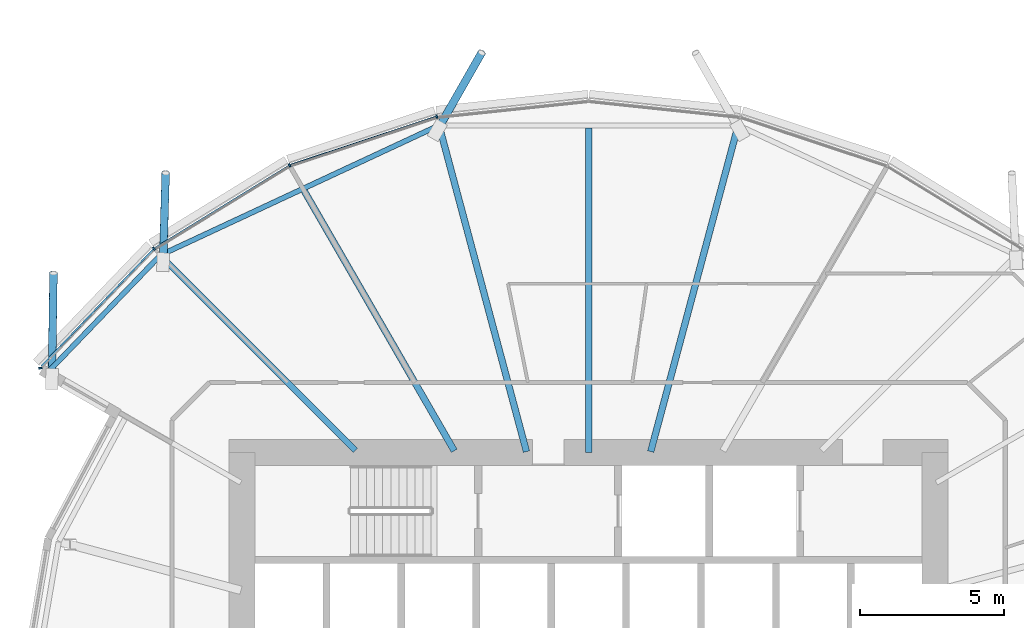
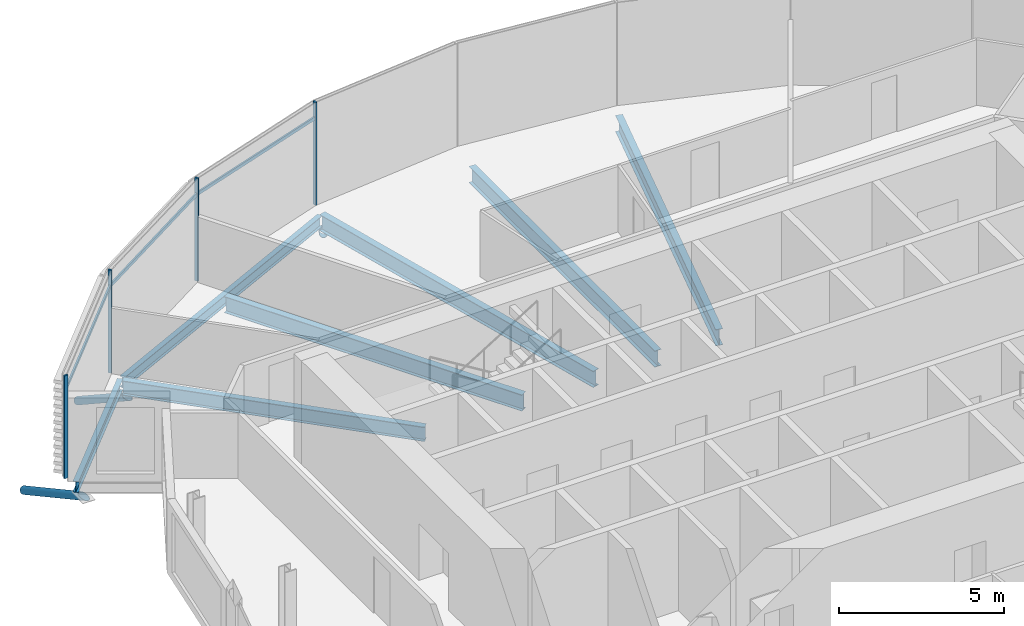
# One storey, part 10 of 38: 10 members, 7 beams, 1 element without a shape of its own.
"""IFC4 building model written with IfcOpenShell, lengths in metres."""

from ifc_helpers import new_model, si_unit, direction, frame, origin, origin_2d, place, context, subcontext, project, spatial, rectangle, hollow_circle, i_section, extrude, clip, halfspace, material, material_profile, profile_set, type_object, element, aggregate, save


model = new_model("IFC4")

# Units and contexts
model_context = context("Model", 3, precision=1e-05, world=origin(), true_north=direction((0.0, 1.0)))
body_context = subcontext(model_context, "Body", "Model", "MODEL_VIEW")
ifc_project = project(units=[si_unit("LENGTHUNIT", "METRE"), si_unit("AREAUNIT", "SQUARE_METRE"), si_unit("VOLUMEUNIT", "CUBIC_METRE"), si_unit("PLANEANGLEUNIT", "RADIAN"), si_unit("MASSUNIT", "GRAM", prefix="KILO")], contexts=[model_context])

# Site, building, storey
site_placement = place(None, origin())
site = spatial("IfcSite", under=ifc_project, at=site_placement, CompositionType="ELEMENT")
building_placement = place(site_placement, origin())
building = spatial("IfcBuilding", under=site, at=building_placement, Name="Rimbun Link Towers", CompositionType="ELEMENT")
storey_placement = place(building_placement, frame((0.0, 0.0, 49.0)))
storey = spatial("IfcBuildingStorey", under=building, at=storey_placement, Name="L11", CompositionType="ELEMENT", Elevation=49.0)

# Curtain wall, members
ifc_material_1 = material(Name="Aluminium 6063-T6 and low-iron glass", Category="aluminium")
curtain_wall_type = type_object("IfcCurtainWallType", Name="CW1 unitised vision wall", PredefinedType="NOTDEFINED", material=ifc_material_1)
curtain_wall_placement = place(storey_placement, origin())
curtain_wall = element("IfcCurtainWall", 1, at=curtain_wall_placement, inside=storey, type_object=curtain_wall_type, Name="CW1 L11 T1", PredefinedType="NOTDEFINED")
ifc_material_2 = material(Name="Aluminium 6063-T6", Category="aluminium")
ifc_material_profile_1 = material_profile(ifc_material_2, rectangle(XDim=0.1201171875, YDim=0.06005859375, at=origin_2d()), Name="MULLION 60X120")
ifc_profile_set_1 = profile_set([ifc_material_profile_1], Name="Aluminium 6063-T6")
member_type_1 = type_object("IfcMemberType", Name="CW1 mullion 60X120", PredefinedType="MULLION", material=ifc_profile_set_1)
member_1_placement = place(storey_placement, frame((-37.007568359375, 19.6328125, 0.0), z_axis=(0.0, 0.0, 1.0), x_axis=(-0.210867877102, 0.977514571966, 0.0)))
member_1 = element("IfcMember", 2, at=member_1_placement, type_object=member_type_1, Name="CW1 mullion", PredefinedType="MULLION", context=body_context, shape_type="SweptSolid", body=[
    extrude(rectangle(XDim=0.1201171875, YDim=0.06005859375, at=origin_2d()), origin(), (0.0, 0.0, 1.0), 3.800048828125),
])
member_2_placement = place(storey_placement, frame((-42.103759765625, 17.944091796875, 0.0), z_axis=(0.0, 0.0, 1.0), x_axis=(-0.421700623213, 0.906735123607, 0.0)))
member_2 = element("IfcMember", 3, at=member_2_placement, type_object=member_type_1, Name="CW1 mullion", PredefinedType="MULLION", context=body_context, shape_type="SweptSolid", body=[
    extrude(rectangle(XDim=0.1201171875, YDim=0.06005859375, at=origin_2d()), origin(), (0.0, 0.0, 1.0), 3.800048828125),
])
member_3_placement = place(storey_placement, frame((-46.80078125, 15.059814453125, 0.0), z_axis=(0.0, 0.0, 1.0), x_axis=(-0.627671952207, 0.778477951141, 0.0)))
member_3 = element("IfcMember", 4, at=member_3_placement, type_object=member_type_1, Name="CW1 mullion", PredefinedType="MULLION", context=body_context, shape_type="SweptSolid", body=[
    extrude(rectangle(XDim=0.1201171875, YDim=0.06005859375, at=origin_2d()), origin(), (0.0, 0.0, 1.0), 3.800048828125),
])
member_4_placement = place(storey_placement, frame((-50.738525390625, 10.920166015625, 0.0), z_axis=(0.0, 0.0, 1.0), x_axis=(-0.990014475654, -0.140965733407, 0.0)))
member_4 = element("IfcMember", 5, at=member_4_placement, type_object=member_type_1, Name="CW1 mullion", PredefinedType="MULLION", context=body_context, shape_type="SweptSolid", body=[
    extrude(rectangle(XDim=0.1201171875, YDim=0.06005859375, at=origin_2d()), origin(), (0.0, 0.0, 1.0), 3.800048828125),
])
ifc_material_3 = material(Name="Aluminium 6063-T6", Category="aluminium")
ifc_material_profile_2 = material_profile(ifc_material_3, rectangle(XDim=0.06005859375, YDim=0.1201171875, at=origin_2d()), Name="TRANSOM 60X120")
ifc_profile_set_2 = profile_set([ifc_material_profile_2], Name="Aluminium 6063-T6")
member_type_2 = type_object("IfcMemberType", Name="CW1 transom 60X120", PredefinedType="USERDEFINED", material=ifc_profile_set_2)
member_5_placement = place(storey_placement, frame((-42.068359375, 17.9541015625, 3.199951171875), z_axis=(0.949239655891, 0.314553772324, 0.0), x_axis=(-0.314553772324, 0.949239655891, 0.0)))
member_5 = element("IfcMember", 6, at=member_5_placement, type_object=member_type_2, Name="CW1 transom", ObjectType="TRANSOM", PredefinedType="USERDEFINED", context=body_context, shape_type="SweptSolid", body=[
    extrude(rectangle(XDim=0.06005859375, YDim=0.1201171875, at=origin_2d()), origin(), (0.0, 0.0, 1.0), 5.295654296875),
])
member_6_placement = place(storey_placement, frame((-46.76806640625, 15.078369140625, 3.199951171875), z_axis=(0.852186680958, 0.523237862543, 0.0), x_axis=(-0.523237862543, 0.852186680958, 0.0)))
member_6 = element("IfcMember", 7, at=member_6_placement, type_object=member_type_2, Name="CW1 transom", ObjectType="TRANSOM", PredefinedType="USERDEFINED", context=body_context, shape_type="SweptSolid", body=[
    extrude(rectangle(XDim=0.06005859375, YDim=0.1201171875, at=origin_2d()), origin(), (0.0, 0.0, 1.0), 5.437255859375),
])
member_7_placement = place(storey_placement, frame((-50.7001953125, 10.990478515625, 3.199951171875), z_axis=(0.692035114231, 0.721863838041, 0.0), x_axis=(-0.721863838041, 0.692035114231, 0.0)))
member_7 = element("IfcMember", 8, at=member_7_placement, type_object=member_type_2, Name="CW1 transom", ObjectType="TRANSOM", PredefinedType="USERDEFINED", context=body_context, shape_type="SweptSolid", body=[
    extrude(rectangle(XDim=0.06005859375, YDim=0.1201171875, at=origin_2d()), origin(), (0.0, 0.0, 1.0), 5.598388671875),
])
aggregate(curtain_wall, [member_1, member_2, member_3, member_4, member_5, member_6, member_7])

# Members
ifc_material_4 = material(Name="Steel S355J2H", Category="steel")
ifc_material_profile_3 = material_profile(ifc_material_4, hollow_circle(Radius=0.136474609375, WallThickness=0.012451171875, at=origin_2d()), Name="CHS 273x12.5")
ifc_profile_set_3 = profile_set([ifc_material_profile_3], Name="Steel S355J2H")
member_type_3 = type_object("IfcMemberType", Name="Floor edge link CHS 273x12.5", PredefinedType="BRACE", material=ifc_profile_set_3)
member_8_placement = place(storey_placement, frame((-36.91650390625, 19.281494140625, -0.877197265625), z_axis=(0.415324590557, 0.727059421065, -0.546708407397), x_axis=(-0.868314095678, 0.496014749021, 0.0)))
element("IfcMember", 9, at=member_8_placement, inside=storey, type_object=member_type_3, Name="Floor edge link T1 L11 07", PredefinedType="BRACE", context=body_context, shape_type="Clipping", body=[
    clip(extrude(hollow_circle(Radius=0.136474609375, WallThickness=0.012451171875, at=origin_2d()), frame((0.0, 0.0, -0.436279296875)), (0.0, 0.0, 1.0), 3.976318359375), halfspace(frame((0.0, 0.0, -0.2060546875), z_axis=(0.0, 0.837323066254, -0.546708407397)), False)),
])
member_9_placement = place(storey_placement, frame((-46.482421875, 14.732421875, -0.806884765625), z_axis=(0.024245134008, 0.832439161978, -0.553585779335), x_axis=(-0.99957612483, 0.029113067002, 0.0)))
element("IfcMember", 10, at=member_9_placement, inside=storey, type_object=member_type_3, Name="Floor edge link T1 L11 09", PredefinedType="BRACE", context=body_context, shape_type="Clipping", body=[
    clip(extrude(hollow_circle(Radius=0.136474609375, WallThickness=0.012451171875, at=origin_2d()), frame((0.0, 0.0, -0.4287109375)), (0.0, 0.0, 1.0), 3.9833984375), halfspace(frame((0.0, 0.0, -0.201904296875), z_axis=(0.0, 0.832792161897, -0.553585779335)), False)),
])
member_10_placement = place(storey_placement, frame((-50.33251953125, 10.728759765625, -0.6865234375), z_axis=(0.012603232699, 0.875618768851, -0.48283840999), x_axis=(-0.999896429442, 0.014392025186, 0.0)))
element("IfcMember", 11, at=member_10_placement, inside=storey, type_object=member_type_3, Name="Floor edge link T1 L11 10", PredefinedType="BRACE", context=body_context, shape_type="Clipping", body=[
    clip(extrude(hollow_circle(Radius=0.136474609375, WallThickness=0.012451171875, at=origin_2d()), frame((0.0, 0.0, -0.515869140625)), (0.0, 0.0, 1.0), 4.50634765625), halfspace(frame((0.0, 0.0, -0.24462890625), z_axis=(0.0, 0.875709466569, -0.48283840999)), False)),
])

# Beams
ifc_material_5 = material(Name="Steel S355J2", Category="steel")
ifc_material_profile_4 = material_profile(ifc_material_5, i_section(OverallWidth=0.177978515625, OverallDepth=0.406494140625, WebThickness=0.0078125, FlangeThickness=0.0126953125, at=origin_2d()), Name="UB 406x178x60")
ifc_profile_set_4 = profile_set([ifc_material_profile_4], Name="Steel S355J2")
beam_type_1 = type_object("IfcBeamType", Name="UB 406x178x60", PredefinedType="BEAM", material=ifc_profile_set_4)
beam_1_placement = place(storey_placement, frame((-37.034912109375, 19.280517578125, -0.36328125), z_axis=(-0.906398512067, -0.422423646738, 0.0), x_axis=(0.422423646738, -0.906398512067, 0.0)))
element("IfcBeam", 12, at=beam_1_placement, inside=storey, type_object=beam_type_1, Name="Edge beam T1 L11 07-09", PredefinedType="BEAM", context=body_context, shape_type="SweptSolid", body=[
    extrude(i_section(OverallWidth=0.177978515625, OverallDepth=0.406494140625, WebThickness=0.0078125, FlangeThickness=0.0126953125, at=origin_2d()), origin(), (0.0, 0.0, 1.0), 10.419921875),
])
beam_2_placement = place(storey_placement, frame((-46.58203125, 14.830810546875, -0.36328125), z_axis=(-0.692969919179, -0.720966497913, 0.0), x_axis=(0.720966497913, -0.692969919179, 0.0)))
element("IfcBeam", 13, at=beam_2_placement, inside=storey, type_object=beam_type_1, Name="Edge beam T1 L11 09", PredefinedType="BEAM", context=body_context, shape_type="SweptSolid", body=[
    extrude(i_section(OverallWidth=0.177978515625, OverallDepth=0.406494140625, WebThickness=0.0078125, FlangeThickness=0.0126953125, at=origin_2d()), origin(), (0.0, 0.0, 1.0), 5.58984375),
])
ifc_material_6 = material(Name="Steel S355J2", Category="steel")
ifc_material_profile_5 = material_profile(ifc_material_6, i_section(OverallWidth=0.209228515625, OverallDepth=0.533203125, WebThickness=0.010009765625, FlangeThickness=0.015625, at=origin_2d()), Name="UB 533x210x92")
ifc_profile_set_5 = profile_set([ifc_material_profile_5], Name="Steel S355J2")
beam_type_2 = type_object("IfcBeamType", Name="UB 533x210x92", PredefinedType="BEAM", material=ifc_profile_set_5)
beam_3_placement = place(storey_placement, frame((-39.82470703125, 8.07470703125, -0.426513671875), z_axis=(-0.707106781187, 0.707106781187, 0.0), x_axis=(-0.707106781187, -0.707106781187, 0.0)))
element("IfcBeam", 14, at=beam_3_placement, inside=storey, type_object=beam_type_2, Name="Radial beam T1 L11 09", PredefinedType="BEAM", context=body_context, shape_type="SweptSolid", body=[
    extrude(i_section(OverallWidth=0.209228515625, OverallDepth=0.533203125, WebThickness=0.010009765625, FlangeThickness=0.015625, at=origin_2d()), origin(), (0.0, 0.0, 1.0), 9.465576171875),
])
ifc_material_7 = material(Name="Steel S355J2", Category="steel")
ifc_material_profile_6 = material_profile(ifc_material_7, i_section(OverallWidth=0.2275390625, OverallDepth=0.6025390625, WebThickness=0.010498046875, FlangeThickness=0.014892578125, at=origin_2d()), Name="UB 610x229x101")
ifc_profile_set_6 = profile_set([ifc_material_profile_6], Name="Steel S355J2")
beam_type_3 = type_object("IfcBeamType", Name="UB 610x229x101", PredefinedType="BEAM", material=ifc_profile_set_6)
beam_4_placement = place(storey_placement, frame((-29.598388671875, 8.030517578125, -0.461181640625), z_axis=(0.258839363348, 0.965920381803, 0.0), x_axis=(-0.965920381803, 0.258839363348, 0.0)))
element("IfcBeam", 15, at=beam_4_placement, inside=storey, type_object=beam_type_3, Name="Radial beam T1 L11 05", PredefinedType="BEAM", context=body_context, shape_type="SweptSolid", body=[
    extrude(i_section(OverallWidth=0.2275390625, OverallDepth=0.6025390625, WebThickness=0.010498046875, FlangeThickness=0.014892578125, at=origin_2d()), origin(), (0.0, 0.0, 1.0), 11.69775390625),
])
beam_5_placement = place(storey_placement, frame((-31.75, 8.0009765625, -0.461181640625), z_axis=(0.0, 1.0, 0.0), x_axis=(-1.0, 0.0, 0.0)))
element("IfcBeam", 16, at=beam_5_placement, inside=storey, type_object=beam_type_3, Name="Radial beam T1 L11 06", PredefinedType="BEAM", context=body_context, shape_type="SweptSolid", body=[
    extrude(i_section(OverallWidth=0.2275390625, OverallDepth=0.6025390625, WebThickness=0.010498046875, FlangeThickness=0.014892578125, at=origin_2d()), origin(), (0.0, 0.0, 1.0), 11.23876953125),
])
beam_6_placement = place(storey_placement, frame((-33.901611328125, 8.030517578125, -0.461181640625), z_axis=(-0.258839363348, 0.965920381803, 0.0), x_axis=(-0.965920381803, -0.258839363348, 0.0)))
element("IfcBeam", 17, at=beam_6_placement, inside=storey, type_object=beam_type_3, Name="Radial beam T1 L11 07", PredefinedType="BEAM", context=body_context, shape_type="SweptSolid", body=[
    extrude(i_section(OverallWidth=0.2275390625, OverallDepth=0.6025390625, WebThickness=0.010498046875, FlangeThickness=0.014892578125, at=origin_2d()), origin(), (0.0, 0.0, 1.0), 11.69775390625),
])
beam_7_placement = place(storey_placement, frame((-36.402099609375, 8.057861328125, -0.461181640625), z_axis=(-0.499998423118, 0.866026314196, 0.0), x_axis=(-0.866026314196, -0.499998423118, 0.0)))
element("IfcBeam", 18, at=beam_7_placement, inside=storey, type_object=beam_type_3, Name="Radial beam T1 L11 08", PredefinedType="BEAM", context=body_context, shape_type="SweptSolid", body=[
    extrude(i_section(OverallWidth=0.2275390625, OverallDepth=0.6025390625, WebThickness=0.010498046875, FlangeThickness=0.014892578125, at=origin_2d()), origin(), (0.0, 0.0, 1.0), 10.38916015625),
])

save(model, "model.ifc")
